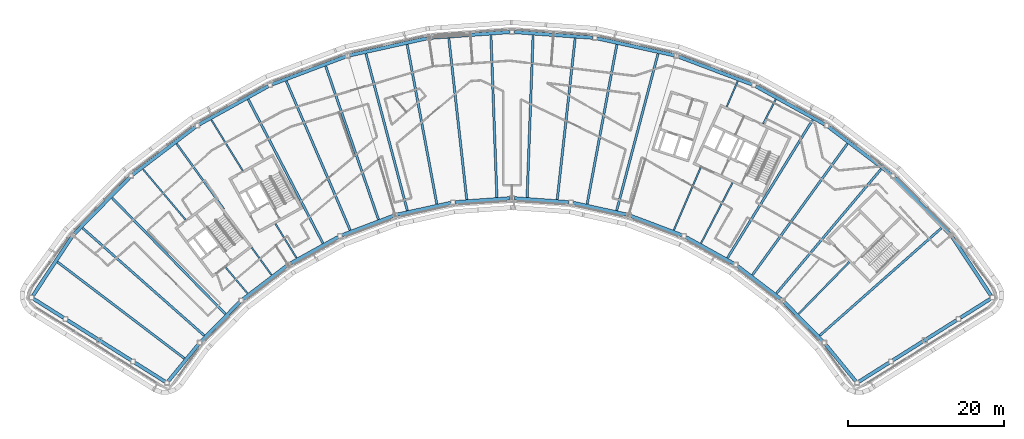
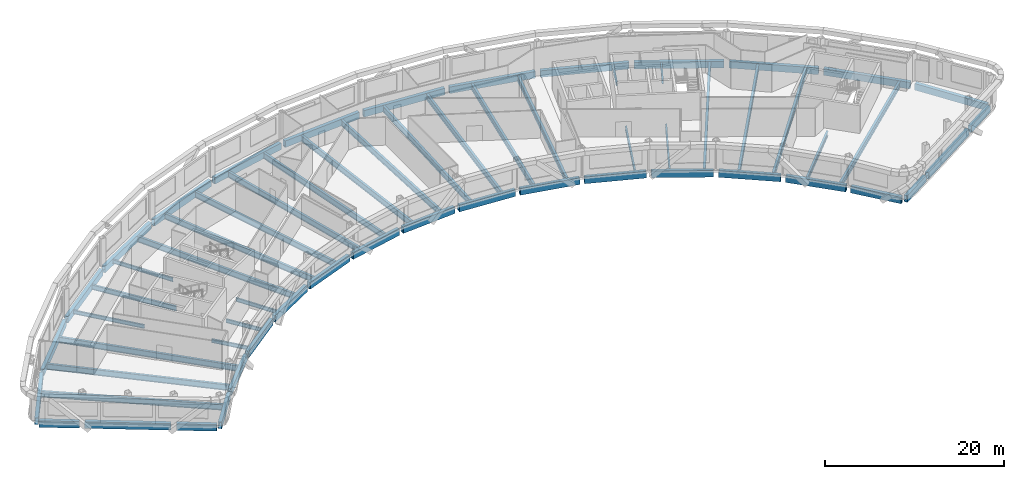
# One storey, part 3 of 17: 63 beams.
"""IFC4 building model written with IfcOpenShell, lengths in metres."""

from ifc_helpers import new_model, si_unit, direction, frame, origin, origin_2d, place, context, subcontext, project, spatial, hollow_rectangle, i_section, extrude, material, material_profile, profile_set, type_object, element, save


model = new_model("IFC4")

# Units and contexts
model_context = context("Model", 3, precision=1e-05, world=origin(), true_north=direction((0.0, 1.0)))
body_context = subcontext(model_context, "Body", "Model", "MODEL_VIEW")
ifc_project = project(units=[si_unit("LENGTHUNIT", "METRE"), si_unit("AREAUNIT", "SQUARE_METRE"), si_unit("VOLUMEUNIT", "CUBIC_METRE"), si_unit("PLANEANGLEUNIT", "RADIAN"), si_unit("MASSUNIT", "GRAM", prefix="KILO")], contexts=[model_context])

# Site, building, storey
site_placement = place(None, origin())
site = spatial("IfcSite", under=ifc_project, at=site_placement, CompositionType="ELEMENT")
building_placement = place(site_placement, origin())
building = spatial("IfcBuilding", under=site, at=building_placement, Name="Tuul Gate Civic Tower", CompositionType="ELEMENT")
storey_placement = place(building_placement, frame((0.0, 0.0, 344.89990234375)))
storey = spatial("IfcBuildingStorey", under=building, at=storey_placement, Name="Level 78", CompositionType="ELEMENT", Elevation=344.89990234375)

# Beams
ifc_material_1 = material(Name="Steel S355", Category="steel")
ifc_material_profile_1 = material_profile(ifc_material_1, i_section(OverallWidth=0.199951171875, OverallDepth=0.5, WebThickness=0.010009765625, FlangeThickness=0.01611328125, at=origin_2d()), Name="PG500x200x10x16")
ifc_profile_set_1 = profile_set([ifc_material_profile_1], Name="Steel S355")
beam_type_1 = type_object("IfcBeamType", Name="STR-FLOOR BEAM-PG500x200x10x16", PredefinedType="BEAM", material=ifc_profile_set_1)
beam_1_placement = place(storey_placement, frame((26.463134765625, -13.32080078125, -0.5498046875), z_axis=(0.460782795667, 0.887512938056, 0.0), x_axis=(-0.887512938056, 0.460782795667, 0.0)))
element("IfcBeam", 1, at=beam_1_placement, inside=storey, type_object=beam_type_1, Name="Floor beam", PredefinedType="BEAM", context=body_context, shape_type="SweptSolid", body=[
    extrude(i_section(OverallWidth=0.199951171875, OverallDepth=0.5, WebThickness=0.010009765625, FlangeThickness=0.01611328125, at=origin_2d()), origin(), (0.0, 0.0, 1.0), 8.768310546875),
])
beam_2_placement = place(storey_placement, frame((34.423583984375, 2.01220703125, -0.5498046875), z_axis=(0.460793282306, 0.887507493479, 0.0), x_axis=(-0.887507493479, 0.460793282306, 0.0)))
element("IfcBeam", 2, at=beam_2_placement, inside=storey, type_object=beam_type_1, Name="Floor beam", PredefinedType="BEAM", context=body_context, shape_type="SweptSolid", body=[
    extrude(i_section(OverallWidth=0.199951171875, OverallDepth=0.5, WebThickness=0.010009765625, FlangeThickness=0.01611328125, at=origin_2d()), origin(), (0.0, 0.0, 1.0), 3.53173828125),
])
beam_3_placement = place(storey_placement, frame((22.968505859375, -11.633056640625, -0.5498046875), z_axis=(0.394179708817, 0.91903338196, 0.0), x_axis=(-0.91903338196, 0.394179708817, 0.0)))
element("IfcBeam", 3, at=beam_3_placement, inside=storey, type_object=beam_type_1, Name="Floor beam", PredefinedType="BEAM", context=body_context, shape_type="SweptSolid", body=[
    extrude(i_section(OverallWidth=0.199951171875, OverallDepth=0.5, WebThickness=0.010009765625, FlangeThickness=0.01611328125, at=origin_2d()), origin(), (0.0, 0.0, 1.0), 8.7119140625),
])
beam_4_placement = place(storey_placement, frame((29.7548828125, 4.189208984375, -0.5498046875), z_axis=(0.394262656624, 0.918997800646, 0.0), x_axis=(-0.918997800646, 0.394262656624, 0.0)))
element("IfcBeam", 4, at=beam_4_placement, inside=storey, type_object=beam_type_1, Name="Floor beam", PredefinedType="BEAM", context=body_context, shape_type="SweptSolid", body=[
    extrude(i_section(OverallWidth=0.199951171875, OverallDepth=0.5, WebThickness=0.010009765625, FlangeThickness=0.01611328125, at=origin_2d()), origin(), (0.0, 0.0, 1.0), 3.60400390625),
])
beam_5_placement = place(storey_placement, frame((-25.47412109375, -15.2021484375, -0.5498046875), z_axis=(-0.524854989159, 0.851191659002, 0.0), x_axis=(-0.851191659002, -0.524854989159, 0.0)))
element("IfcBeam", 5, at=beam_5_placement, inside=storey, type_object=beam_type_1, Name="Floor beam", PredefinedType="BEAM", context=body_context, shape_type="SweptSolid", body=[
    extrude(i_section(OverallWidth=0.199951171875, OverallDepth=0.5, WebThickness=0.010009765625, FlangeThickness=0.01611328125, at=origin_2d()), origin(), (0.0, 0.0, 1.0), 5.1591796875),
])
beam_6_placement = place(storey_placement, frame((-32.385009765625, -3.993896484375, -0.5498046875), z_axis=(-0.524857120658, 0.851190344691, 0.0), x_axis=(-0.851190344691, -0.524857120658, 0.0)))
element("IfcBeam", 6, at=beam_6_placement, inside=storey, type_object=beam_type_1, Name="Floor beam", PredefinedType="BEAM", context=body_context, shape_type="SweptSolid", body=[
    extrude(i_section(OverallWidth=0.199951171875, OverallDepth=0.5, WebThickness=0.010009765625, FlangeThickness=0.01611328125, at=origin_2d()), origin(), (0.0, 0.0, 1.0), 7.654052734375),
])
beam_7_placement = place(storey_placement, frame((-28.677734375, -17.393310546875, -0.5498046875), z_axis=(-0.586074177431, 0.81025740265, 0.0), x_axis=(-0.81025740265, -0.586074177431, 0.0)))
element("IfcBeam", 7, at=beam_7_placement, inside=storey, type_object=beam_type_1, Name="Floor beam", PredefinedType="BEAM", context=body_context, shape_type="SweptSolid", body=[
    extrude(i_section(OverallWidth=0.199951171875, OverallDepth=0.5, WebThickness=0.010009765625, FlangeThickness=0.01611328125, at=origin_2d()), origin(), (0.0, 0.0, 1.0), 4.33642578125),
])
beam_8_placement = place(storey_placement, frame((-31.765869140625, -19.74462890625, -0.5498046875), z_axis=(-0.64417038831, 0.764882024122, 0.0), x_axis=(-0.764882024122, -0.64417038831, 0.0)))
element("IfcBeam", 8, at=beam_8_placement, inside=storey, type_object=beam_type_1, Name="Floor beam", PredefinedType="BEAM", context=body_context, shape_type="SweptSolid", body=[
    extrude(i_section(OverallWidth=0.199951171875, OverallDepth=0.5, WebThickness=0.010009765625, FlangeThickness=0.01611328125, at=origin_2d()), origin(), (0.0, 0.0, 1.0), 4.34033203125),
])
beam_9_placement = place(storey_placement, frame((-39.720703125, -10.298095703125, -0.5498046875), z_axis=(-0.644145503575, 0.764902980923, 0.0), x_axis=(-0.764902980923, -0.644145503575, 0.0)))
element("IfcBeam", 9, at=beam_9_placement, inside=storey, type_object=beam_type_1, Name="Floor beam", PredefinedType="BEAM", context=body_context, shape_type="SweptSolid", body=[
    extrude(i_section(OverallWidth=0.199951171875, OverallDepth=0.5, WebThickness=0.010009765625, FlangeThickness=0.01611328125, at=origin_2d()), origin(), (0.0, 0.0, 1.0), 8.47509765625),
])
ifc_material_2 = material(Name="Steel S355", Category="steel")
ifc_material_profile_2 = material_profile(ifc_material_2, i_section(OverallWidth=0.25, OverallDepth=0.64990234375, WebThickness=0.011962890625, FlangeThickness=0.02001953125, at=origin_2d()), Name="PG650x250x12x20")
ifc_profile_set_2 = profile_set([ifc_material_profile_2], Name="Steel S355")
beam_type_2 = type_object("IfcBeamType", Name="STR-FLOOR BEAM-PG650x250x12x20", PredefinedType="BEAM", material=ifc_profile_set_2)
beam_10_placement = place(storey_placement, frame((38.990234375, -22.390380859375, -0.625), z_axis=(0.698674470128, 0.715439714296, 0.0), x_axis=(-0.715439714296, 0.698674470128, 0.0)))
element("IfcBeam", 10, at=beam_10_placement, inside=storey, type_object=beam_type_2, Name="Floor beam", PredefinedType="BEAM", context=body_context, shape_type="SweptSolid", body=[
    extrude(i_section(OverallWidth=0.25, OverallDepth=0.64990234375, WebThickness=0.011962890625, FlangeThickness=0.02001953125, at=origin_2d()), origin(), (0.0, 0.0, 1.0), 9.290771484375),
])
beam_11_placement = place(storey_placement, frame((-34.799560546875, -8.9296875, -0.625), z_axis=(-0.586091808988, 0.810244649126, 0.0), x_axis=(-0.810244649126, -0.586091808988, 0.0)))
element("IfcBeam", 11, at=beam_11_placement, inside=storey, type_object=beam_type_2, Name="Floor beam", PredefinedType="BEAM", context=body_context, shape_type="SweptSolid", body=[
    extrude(i_section(OverallWidth=0.25, OverallDepth=0.64990234375, WebThickness=0.011962890625, FlangeThickness=0.02001953125, at=origin_2d()), origin(), (0.0, 0.0, 1.0), 10.360107421875),
])
ifc_material_3 = material(Name="Steel S355", Category="steel")
ifc_material_profile_3 = material_profile(ifc_material_3, i_section(OverallWidth=0.300048828125, OverallDepth=0.800048828125, WebThickness=0.013916015625, FlangeThickness=0.02490234375, at=origin_2d()), Name="PG800x300x14x25")
ifc_profile_set_3 = profile_set([ifc_material_profile_3], Name="Steel S355")
beam_type_3 = type_object("IfcBeamType", Name="STR-FLOOR BEAM-PG800x300x14x25", PredefinedType="BEAM", material=ifc_profile_set_3)
beam_12_placement = place(storey_placement, frame((41.707275390625, -25.16259765625, -0.699951171875), z_axis=(0.749453243269, 0.662057275584, 0.0), x_axis=(-0.662057275584, 0.749453243269, 0.0)))
element("IfcBeam", 12, at=beam_12_placement, inside=storey, type_object=beam_type_3, Name="Floor beam", PredefinedType="BEAM", context=body_context, shape_type="SweptSolid", body=[
    extrude(i_section(OverallWidth=0.300048828125, OverallDepth=0.800048828125, WebThickness=0.013916015625, FlangeThickness=0.02490234375, at=origin_2d()), origin(), (0.0, 0.0, 1.0), 20.828369140625),
])
beam_13_placement = place(storey_placement, frame((36.14990234375, -19.74462890625, -0.699951171875), z_axis=(0.644135745783, 0.764911198117, 0.0), x_axis=(-0.764911198117, 0.644135745783, 0.0)))
element("IfcBeam", 13, at=beam_13_placement, inside=storey, type_object=beam_type_3, Name="Floor beam", PredefinedType="BEAM", context=body_context, shape_type="SweptSolid", body=[
    extrude(i_section(OverallWidth=0.300048828125, OverallDepth=0.800048828125, WebThickness=0.013916015625, FlangeThickness=0.02490234375, at=origin_2d()), origin(), (0.0, 0.0, 1.0), 20.824951171875),
])
beam_14_placement = place(storey_placement, frame((33.061767578125, -17.393310546875, -0.699951171875), z_axis=(0.586073074744, 0.810258200242, 0.0), x_axis=(-0.810258200242, 0.586073074744, 0.0)))
element("IfcBeam", 14, at=beam_14_placement, inside=storey, type_object=beam_type_3, Name="Floor beam", PredefinedType="BEAM", context=body_context, shape_type="SweptSolid", body=[
    extrude(i_section(OverallWidth=0.300048828125, OverallDepth=0.800048828125, WebThickness=0.013916015625, FlangeThickness=0.02490234375, at=origin_2d()), origin(), (0.0, 0.0, 1.0), 20.8056640625),
])
beam_15_placement = place(storey_placement, frame((29.858154296875, -15.2021484375, -0.699951171875), z_axis=(0.524846935925, 0.85119662467, 0.0), x_axis=(-0.85119662467, 0.524846935925, 0.0)))
element("IfcBeam", 15, at=beam_15_placement, inside=storey, type_object=beam_type_3, Name="Floor beam", PredefinedType="BEAM", context=body_context, shape_type="SweptSolid", body=[
    extrude(i_section(OverallWidth=0.300048828125, OverallDepth=0.800048828125, WebThickness=0.013916015625, FlangeThickness=0.02490234375, at=origin_2d()), origin(), (0.0, 0.0, 1.0), 20.82177734375),
])
beam_16_placement = place(storey_placement, frame((15.630615234375, -9.11328125, -0.699951171875), z_axis=(0.255002430405, 0.966940412067, 0.0), x_axis=(-0.966940412067, 0.255002430405, 0.0)))
element("IfcBeam", 16, at=beam_16_placement, inside=storey, type_object=beam_type_3, Name="Floor beam", PredefinedType="BEAM", context=body_context, shape_type="SweptSolid", body=[
    extrude(i_section(OverallWidth=0.300048828125, OverallDepth=0.800048828125, WebThickness=0.013916015625, FlangeThickness=0.02490234375, at=origin_2d()), origin(), (0.0, 0.0, 1.0), 20.81689453125),
])
beam_17_placement = place(storey_placement, frame((11.84033203125, -8.2783203125, -0.699951171875), z_axis=(0.183149454547, 0.983085081414, 0.0), x_axis=(-0.983085081414, 0.183149454547, 0.0)))
element("IfcBeam", 17, at=beam_17_placement, inside=storey, type_object=beam_type_3, Name="Floor beam", PredefinedType="BEAM", context=body_context, shape_type="SweptSolid", body=[
    extrude(i_section(OverallWidth=0.300048828125, OverallDepth=0.800048828125, WebThickness=0.013916015625, FlangeThickness=0.02490234375, at=origin_2d()), origin(), (0.0, 0.0, 1.0), 20.81103515625),
])
beam_18_placement = place(storey_placement, frame((8.003173828125, -7.69873046875, -0.699951171875), z_axis=(0.110286058964, 0.993899886909, 0.0), x_axis=(-0.993899886909, 0.110286058964, 0.0)))
element("IfcBeam", 18, at=beam_18_placement, inside=storey, type_object=beam_type_3, Name="Floor beam", PredefinedType="BEAM", context=body_context, shape_type="SweptSolid", body=[
    extrude(i_section(OverallWidth=0.300048828125, OverallDepth=0.800048828125, WebThickness=0.013916015625, FlangeThickness=0.02490234375, at=origin_2d()), origin(), (0.0, 0.0, 1.0), 20.8154296875),
])
for number, where, z_axis, x_axis, name in (
    (19, (4.13232421875, -7.41796875, -0.699951171875), (0.036832478792, 0.999321454041, 0.0), (-0.999321454041, 0.036832478792, 0.0), "Floor beam"),
    (20, (0.251708984375, -7.41796875, -0.699951171875), (-0.036832478792, 0.999321454041, 0.0), (-0.999321454041, -0.036832478792, 0.0), "Floor beam"),
):
    element("IfcBeam", number, at=place(storey_placement, frame(where, z_axis=z_axis, x_axis=x_axis)), inside=storey, type_object=beam_type_3, Name=name, PredefinedType="BEAM", context=body_context, shape_type="SweptSolid", body=[
        extrude(i_section(OverallWidth=0.300048828125, OverallDepth=0.800048828125, WebThickness=0.013916015625, FlangeThickness=0.02490234375, at=origin_2d()), origin(), (0.0, 0.0, 1.0), 20.813232421875),
    ])
beam_19_placement = place(storey_placement, frame((-3.619140625, -7.69873046875, -0.699951171875), z_axis=(-0.110286058964, 0.993899886909, 0.0), x_axis=(-0.993899886909, -0.110286058964, 0.0)))
element("IfcBeam", 21, at=beam_19_placement, inside=storey, type_object=beam_type_3, Name="Floor beam", PredefinedType="BEAM", context=body_context, shape_type="SweptSolid", body=[
    extrude(i_section(OverallWidth=0.300048828125, OverallDepth=0.800048828125, WebThickness=0.013916015625, FlangeThickness=0.02490234375, at=origin_2d()), origin(), (0.0, 0.0, 1.0), 20.8154296875),
])
beam_20_placement = place(storey_placement, frame((-7.45654296875, -8.2783203125, -0.699951171875), z_axis=(-0.183138116697, 0.983087193596, 0.0), x_axis=(-0.983087193596, -0.183138116697, 0.0)))
element("IfcBeam", 22, at=beam_20_placement, inside=storey, type_object=beam_type_3, Name="Floor beam", PredefinedType="BEAM", context=body_context, shape_type="SweptSolid", body=[
    extrude(i_section(OverallWidth=0.300048828125, OverallDepth=0.800048828125, WebThickness=0.013916015625, FlangeThickness=0.02490234375, at=origin_2d()), origin(), (0.0, 0.0, 1.0), 20.81103515625),
])
beam_21_placement = place(storey_placement, frame((-11.24658203125, -9.11328125, -0.699951171875), z_axis=(-0.255002430405, 0.966940412067, 0.0), x_axis=(-0.966940412067, -0.255002430405, 0.0)))
element("IfcBeam", 23, at=beam_21_placement, inside=storey, type_object=beam_type_3, Name="Floor beam", PredefinedType="BEAM", context=body_context, shape_type="SweptSolid", body=[
    extrude(i_section(OverallWidth=0.300048828125, OverallDepth=0.800048828125, WebThickness=0.013916015625, FlangeThickness=0.02490234375, at=origin_2d()), origin(), (0.0, 0.0, 1.0), 20.81689453125),
])
beam_22_placement = place(storey_placement, frame((-14.954345703125, -10.259765625, -0.699951171875), z_axis=(-0.325483706592, 0.945547649113, 0.0), x_axis=(-0.945547649113, -0.325483706592, 0.0)))
element("IfcBeam", 24, at=beam_22_placement, inside=storey, type_object=beam_type_3, Name="Floor beam", PredefinedType="BEAM", context=body_context, shape_type="SweptSolid", body=[
    extrude(i_section(OverallWidth=0.300048828125, OverallDepth=0.800048828125, WebThickness=0.013916015625, FlangeThickness=0.02490234375, at=origin_2d()), origin(), (0.0, 0.0, 1.0), 20.808837890625),
])
beam_23_placement = place(storey_placement, frame((-18.58447265625, -11.633056640625, -0.699951171875), z_axis=(-0.39419807985, 0.919025502281, 0.0), x_axis=(-0.919025502281, -0.39419807985, 0.0)))
element("IfcBeam", 25, at=beam_23_placement, inside=storey, type_object=beam_type_3, Name="Floor beam", PredefinedType="BEAM", context=body_context, shape_type="SweptSolid", body=[
    extrude(i_section(OverallWidth=0.300048828125, OverallDepth=0.800048828125, WebThickness=0.013916015625, FlangeThickness=0.02490234375, at=origin_2d()), origin(), (0.0, 0.0, 1.0), 20.820068359375),
])
beam_24_placement = place(storey_placement, frame((-22.079345703125, -13.32080078125, -0.699951171875), z_axis=(-0.46076746296, 0.887520898389, 0.0), x_axis=(-0.887520898389, -0.46076746296, 0.0)))
element("IfcBeam", 26, at=beam_24_placement, inside=storey, type_object=beam_type_3, Name="Floor beam", PredefinedType="BEAM", context=body_context, shape_type="SweptSolid", body=[
    extrude(i_section(OverallWidth=0.300048828125, OverallDepth=0.800048828125, WebThickness=0.013916015625, FlangeThickness=0.02490234375, at=origin_2d()), origin(), (0.0, 0.0, 1.0), 20.80810546875),
])
beam_25_placement = place(storey_placement, frame((-34.606201171875, -22.390380859375, -0.699951171875), z_axis=(-0.698678629993, 0.715435651888, 0.0), x_axis=(-0.715435651888, -0.698678629993, 0.0)))
element("IfcBeam", 27, at=beam_25_placement, inside=storey, type_object=beam_type_3, Name="Floor beam", PredefinedType="BEAM", context=body_context, shape_type="SweptSolid", body=[
    extrude(i_section(OverallWidth=0.300048828125, OverallDepth=0.800048828125, WebThickness=0.013916015625, FlangeThickness=0.02490234375, at=origin_2d()), origin(), (0.0, 0.0, 1.0), 20.80517578125),
])
beam_26_placement = place(storey_placement, frame((-37.3232421875, -25.16259765625, -0.699951171875), z_axis=(-0.749453243269, 0.662057275584, 0.0), x_axis=(-0.662057275584, -0.749453243269, 0.0)))
element("IfcBeam", 28, at=beam_26_placement, inside=storey, type_object=beam_type_3, Name="Floor beam", PredefinedType="BEAM", context=body_context, shape_type="SweptSolid", body=[
    extrude(i_section(OverallWidth=0.300048828125, OverallDepth=0.800048828125, WebThickness=0.013916015625, FlangeThickness=0.02490234375, at=origin_2d()), origin(), (0.0, 0.0, 1.0), 20.828369140625),
])
beam_27_placement = place(storey_placement, frame((-39.8623046875, -28.107421875, -0.699951171875), z_axis=(-0.796145180606, 0.605105653087, 0.0), x_axis=(-0.605105653087, -0.796145180606, 0.0)))
element("IfcBeam", 29, at=beam_27_placement, inside=storey, type_object=beam_type_3, Name="Floor beam", PredefinedType="BEAM", context=body_context, shape_type="SweptSolid", body=[
    extrude(i_section(OverallWidth=0.300048828125, OverallDepth=0.800048828125, WebThickness=0.013916015625, FlangeThickness=0.02490234375, at=origin_2d()), origin(), (0.0, 0.0, 1.0), 20.462646484375),
])
ifc_material_4 = material(Name="Steel S355", Category="steel")
ifc_material_profile_4 = material_profile(ifc_material_4, hollow_rectangle(XDim=0.449951171875, YDim=0.89990234375, WallThickness=0.02490234375, at=origin_2d()), Name="BOX900x450x25")
ifc_profile_set_4 = profile_set([ifc_material_profile_4], Name="Steel S355")
beam_type_4 = type_object("IfcBeamType", Name="STR-SPANDREL BEAM-BOX900x450x25", PredefinedType="BEAM", material=ifc_profile_set_4)
beam_28_placement = place(storey_placement, frame((63.697509765625, -20.0498046875, -0.75), z_axis=(-0.551649794693, 0.834075838288, 0.0), x_axis=(-0.834075838288, -0.551649794693, 0.0)))
element("IfcBeam", 30, at=beam_28_placement, inside=storey, type_object=beam_type_4, Name="Spandrel beam", PredefinedType="BEAM", context=body_context, shape_type="SweptSolid", body=[
    extrude(hollow_rectangle(XDim=0.449951171875, YDim=0.89990234375, WallThickness=0.02490234375, at=origin_2d()), origin(), (0.0, 0.0, 1.0), 9.005859375),
])
beam_29_placement = place(storey_placement, frame((58.35400390625, -12.07373046875, -0.75), z_axis=(-0.699997044148, 0.714145740157, 0.0), x_axis=(-0.714145740157, -0.699997044148, 0.0)))
element("IfcBeam", 31, at=beam_29_placement, inside=storey, type_object=beam_type_4, Name="Spandrel beam", PredefinedType="BEAM", context=body_context, shape_type="SweptSolid", body=[
    extrude(hollow_rectangle(XDim=0.449951171875, YDim=0.89990234375, WallThickness=0.02490234375, at=origin_2d()), origin(), (0.0, 0.0, 1.0), 10.0771484375),
])
beam_30_placement = place(storey_placement, frame((50.851318359375, -4.481201171875, -0.75), z_axis=(-0.795665227609, 0.605736614028, 0.0), x_axis=(-0.605736614028, -0.795665227609, 0.0)))
element("IfcBeam", 32, at=beam_30_placement, inside=storey, type_object=beam_type_4, Name="Spandrel beam", PredefinedType="BEAM", context=body_context, shape_type="SweptSolid", body=[
    extrude(hollow_rectangle(XDim=0.449951171875, YDim=0.89990234375, WallThickness=0.02490234375, at=origin_2d()), origin(), (0.0, 0.0, 1.0), 10.077880859375),
])
for number, where, z_axis, x_axis, name in (
    (33, (42.33154296875, 1.950439453125, -0.75), (-0.874588911386, 0.484865173095, 0.0), (-0.484865173095, -0.874588911386, 0.0), "Spandrel beam"),
    (34, (32.975341796875, 7.088134765625, -0.75), (-0.935377903805, 0.353649794391, 0.0), (-0.353649794391, -0.935377903805, 0.0), "Spandrel beam"),
):
    element("IfcBeam", number, at=place(storey_placement, frame(where, z_axis=z_axis, x_axis=x_axis)), inside=storey, type_object=beam_type_4, Name=name, PredefinedType="BEAM", context=body_context, shape_type="SweptSolid", body=[
        extrude(hollow_rectangle(XDim=0.449951171875, YDim=0.89990234375, WallThickness=0.02490234375, at=origin_2d()), origin(), (0.0, 0.0, 1.0), 10.076904296875),
    ])
beam_31_placement = place(storey_placement, frame((22.97607421875, 10.822509765625, -0.75), z_axis=(-0.97656744164, 0.215211598034, 0.0), x_axis=(-0.215211598034, -0.97656744164, 0.0)))
element("IfcBeam", 35, at=beam_31_placement, inside=storey, type_object=beam_type_4, Name="Spandrel beam", PredefinedType="BEAM", context=body_context, shape_type="SweptSolid", body=[
    extrude(hollow_rectangle(XDim=0.449951171875, YDim=0.89990234375, WallThickness=0.02490234375, at=origin_2d()), origin(), (0.0, 0.0, 1.0), 10.078125),
])
for number, where, z_axis, x_axis, name in (
    (36, (12.541748046875, 13.07763671875, -0.75), (-0.997381504519, 0.072319668448, 0.0), (-0.072319668448, -0.997381504519, 0.0), "Spandrel beam"),
    (37, (1.892822265625, 13.806396484375, -0.75), (-0.997381504519, -0.072319668448, 0.0), (0.072319668448, -0.997381504519, 0.0), "Spandrel beam"),
):
    element("IfcBeam", number, at=place(storey_placement, frame(where, z_axis=z_axis, x_axis=x_axis)), inside=storey, type_object=beam_type_4, Name=name, PredefinedType="BEAM", context=body_context, shape_type="SweptSolid", body=[
        extrude(hollow_rectangle(XDim=0.449951171875, YDim=0.89990234375, WallThickness=0.02490234375, at=origin_2d()), origin(), (0.0, 0.0, 1.0), 10.076904296875),
    ])
beam_32_placement = place(storey_placement, frame((-8.75, 12.991455078125, -0.75), z_axis=(-0.97656744164, -0.215211598034, 0.0), x_axis=(0.215211598034, -0.97656744164, 0.0)))
element("IfcBeam", 38, at=beam_32_placement, inside=storey, type_object=beam_type_4, Name="Spandrel beam", PredefinedType="BEAM", context=body_context, shape_type="SweptSolid", body=[
    extrude(hollow_rectangle(XDim=0.449951171875, YDim=0.89990234375, WallThickness=0.02490234375, at=origin_2d()), origin(), (0.0, 0.0, 1.0), 10.078125),
])
for number, where, z_axis, x_axis, name in (
    (39, (-19.16552734375, 10.65185546875, -0.75), (-0.935377903805, -0.353649794391, 0.0), (0.353649794391, -0.935377903805, 0.0), "Spandrel beam"),
    (40, (-29.13427734375, 6.83642578125, -0.75), (-0.874588911386, -0.484865173095, 0.0), (0.484865173095, -0.874588911386, 0.0), "Spandrel beam"),
):
    element("IfcBeam", number, at=place(storey_placement, frame(where, z_axis=z_axis, x_axis=x_axis)), inside=storey, type_object=beam_type_4, Name=name, PredefinedType="BEAM", context=body_context, shape_type="SweptSolid", body=[
        extrude(hollow_rectangle(XDim=0.449951171875, YDim=0.89990234375, WallThickness=0.02490234375, at=origin_2d()), origin(), (0.0, 0.0, 1.0), 10.076904296875),
    ])
beam_33_placement = place(storey_placement, frame((-38.44873046875, 1.623291015625, -0.75), z_axis=(-0.795665227609, -0.605736614028, 0.0), x_axis=(0.605736614028, -0.795665227609, 0.0)))
element("IfcBeam", 41, at=beam_33_placement, inside=storey, type_object=beam_type_4, Name="Spandrel beam", PredefinedType="BEAM", context=body_context, shape_type="SweptSolid", body=[
    extrude(hollow_rectangle(XDim=0.449951171875, YDim=0.89990234375, WallThickness=0.02490234375, at=origin_2d()), origin(), (0.0, 0.0, 1.0), 10.077880859375),
])
beam_34_placement = place(storey_placement, frame((-46.916015625, -4.877197265625, -0.75), z_axis=(-0.699997044148, -0.714145740157, 0.0), x_axis=(0.714145740157, -0.699997044148, 0.0)))
element("IfcBeam", 42, at=beam_34_placement, inside=storey, type_object=beam_type_4, Name="Spandrel beam", PredefinedType="BEAM", context=body_context, shape_type="SweptSolid", body=[
    extrude(hollow_rectangle(XDim=0.449951171875, YDim=0.89990234375, WallThickness=0.02490234375, at=origin_2d()), origin(), (0.0, 0.0, 1.0), 10.0771484375),
])
beam_35_placement = place(storey_placement, frame((-54.345458984375, -12.538330078125, -0.75), z_axis=(-0.551649794693, -0.834075838288, 0.0), x_axis=(0.834075838288, -0.551649794693, 0.0)))
element("IfcBeam", 43, at=beam_35_placement, inside=storey, type_object=beam_type_4, Name="Spandrel beam", PredefinedType="BEAM", context=body_context, shape_type="SweptSolid", body=[
    extrude(hollow_rectangle(XDim=0.449951171875, YDim=0.89990234375, WallThickness=0.02490234375, at=origin_2d()), origin(), (0.0, 0.0, 1.0), 9.005859375),
])
beam_36_placement = place(storey_placement, frame((-59.22509765625, -20.4599609375, -0.75), z_axis=(0.846180663287, -0.532896129728, 0.0), x_axis=(0.532896129728, 0.846180663287, 0.0)))
element("IfcBeam", 44, at=beam_36_placement, inside=storey, type_object=beam_type_4, Name="Spandrel beam", PredefinedType="BEAM", context=body_context, shape_type="SweptSolid", body=[
    extrude(hollow_rectangle(XDim=0.449951171875, YDim=0.89990234375, WallThickness=0.02490234375, at=origin_2d()), origin(), (0.0, 0.0, 1.0), 4.532470703125),
])
beam_37_placement = place(storey_placement, frame((-54.882080078125, -23.19482421875, -0.75), z_axis=(0.846196555074, -0.532870894477, 0.0), x_axis=(0.532870894477, 0.846196555074, 0.0)))
element("IfcBeam", 45, at=beam_37_placement, inside=storey, type_object=beam_type_4, Name="Spandrel beam", PredefinedType="BEAM", context=body_context, shape_type="SweptSolid", body=[
    extrude(hollow_rectangle(XDim=0.449951171875, YDim=0.89990234375, WallThickness=0.02490234375, at=origin_2d()), origin(), (0.0, 0.0, 1.0), 9.66357421875),
])
beam_38_placement = place(storey_placement, frame((-46.197265625, -28.663818359375, -0.75), z_axis=(0.846134763568, -0.532969006493, 0.0), x_axis=(0.532969006493, 0.846134763568, 0.0)))
element("IfcBeam", 46, at=beam_38_placement, inside=storey, type_object=beam_type_4, Name="Spandrel beam", PredefinedType="BEAM", context=body_context, shape_type="SweptSolid", body=[
    extrude(hollow_rectangle(XDim=0.449951171875, YDim=0.89990234375, WallThickness=0.02490234375, at=origin_2d()), origin(), (0.0, 0.0, 1.0), 4.53173828125),
])
beam_39_placement = place(storey_placement, frame((-41.918701171875, -31.007080078125, -0.75), z_axis=(0.63439697252, 0.773007426392, 0.0), x_axis=(-0.773007426392, 0.63439697252, 0.0)))
element("IfcBeam", 47, at=beam_39_placement, inside=storey, type_object=beam_type_4, Name="Spandrel beam", PredefinedType="BEAM", context=body_context, shape_type="SweptSolid", body=[
    extrude(hollow_rectangle(XDim=0.449951171875, YDim=0.89990234375, WallThickness=0.02490234375, at=origin_2d()), origin(), (0.0, 0.0, 1.0), 6.052001953125),
])
beam_40_placement = place(storey_placement, frame((-37.678955078125, -25.8828125, -0.75), z_axis=(0.699947818205, 0.714193987507, 0.0), x_axis=(-0.714193987507, 0.699947818205, 0.0)))
element("IfcBeam", 48, at=beam_40_placement, inside=storey, type_object=beam_type_4, Name="Spandrel beam", PredefinedType="BEAM", context=body_context, shape_type="SweptSolid", body=[
    extrude(hollow_rectangle(XDim=0.449951171875, YDim=0.89990234375, WallThickness=0.02490234375, at=origin_2d()), origin(), (0.0, 0.0, 1.0), 6.991943359375),
])
for number, where, z_axis, x_axis, name in (
    (49, (-32.33642578125, -20.4931640625, -0.75), (0.795633676081, 0.605778056293, 0.0), (-0.605778056293, 0.795633676081, 0.0), "Spandrel beam"),
    (50, (-26.272705078125, -15.9306640625, -0.75), (0.874654250386, 0.484747297343, 0.0), (-0.484747297343, 0.874654250386, 0.0), "Spandrel beam"),
):
    element("IfcBeam", number, at=place(storey_placement, frame(where, z_axis=z_axis, x_axis=x_axis)), inside=storey, type_object=beam_type_4, Name=name, PredefinedType="BEAM", context=body_context, shape_type="SweptSolid", body=[
        extrude(hollow_rectangle(XDim=0.449951171875, YDim=0.89990234375, WallThickness=0.02490234375, at=origin_2d()), origin(), (0.0, 0.0, 1.0), 6.99169921875),
    ])
beam_41_placement = place(storey_placement, frame((-19.614501953125, -12.289794921875, -0.75), z_axis=(0.93532810698, 0.35378147534, 0.0), x_axis=(-0.35378147534, 0.93532810698, 0.0)))
element("IfcBeam", 51, at=beam_41_placement, inside=storey, type_object=beam_type_4, Name="Spandrel beam", PredefinedType="BEAM", context=body_context, shape_type="SweptSolid", body=[
    extrude(hollow_rectangle(XDim=0.449951171875, YDim=0.89990234375, WallThickness=0.02490234375, at=origin_2d()), origin(), (0.0, 0.0, 1.0), 6.991943359375),
])
beam_42_placement = place(storey_placement, frame((-12.5009765625, -9.6455078125, -0.75), z_axis=(0.976591238289, 0.215103587366, 0.0), x_axis=(-0.215103587366, 0.976591238289, 0.0)))
element("IfcBeam", 52, at=beam_42_placement, inside=storey, type_object=beam_type_4, Name="Spandrel beam", PredefinedType="BEAM", context=body_context, shape_type="SweptSolid", body=[
    extrude(hollow_rectangle(XDim=0.449951171875, YDim=0.89990234375, WallThickness=0.02490234375, at=origin_2d()), origin(), (0.0, 0.0, 1.0), 6.991455078125),
])
for number, where, z_axis, x_axis, name in (
    (53, (-5.080810546875, -8.055419921875, -0.75), (0.99738191337, 0.072314029638, 0.0), (-0.072314029638, 0.99738191337, 0.0), "Spandrel beam"),
    (54, (2.4912109375, -7.5498046875, -0.75), (0.99738191337, -0.072314029638, 0.0), (0.072314029638, 0.99738191337, 0.0), "Spandrel beam"),
):
    element("IfcBeam", number, at=place(storey_placement, frame(where, z_axis=z_axis, x_axis=x_axis)), inside=storey, type_object=beam_type_4, Name=name, PredefinedType="BEAM", context=body_context, shape_type="SweptSolid", body=[
        extrude(hollow_rectangle(XDim=0.449951171875, YDim=0.89990234375, WallThickness=0.02490234375, at=origin_2d()), origin(), (0.0, 0.0, 1.0), 6.991943359375),
    ])
beam_43_placement = place(storey_placement, frame((10.056884765625, -8.1416015625, -0.75), z_axis=(0.976592853912, -0.215096252149, 0.0), x_axis=(0.215096252149, 0.976592853912, 0.0)))
element("IfcBeam", 55, at=beam_43_placement, inside=storey, type_object=beam_type_4, Name="Spandrel beam", PredefinedType="BEAM", context=body_context, shape_type="SweptSolid", body=[
    extrude(hollow_rectangle(XDim=0.449951171875, YDim=0.89990234375, WallThickness=0.02490234375, at=origin_2d()), origin(), (0.0, 0.0, 1.0), 6.99169921875),
])
beam_44_placement = place(storey_placement, frame((17.45849609375, -9.816162109375, -0.75), z_axis=(0.93532810698, -0.35378147534, 0.0), x_axis=(0.35378147534, 0.93532810698, 0.0)))
element("IfcBeam", 56, at=beam_44_placement, inside=storey, type_object=beam_type_4, Name="Spandrel beam", PredefinedType="BEAM", context=body_context, shape_type="SweptSolid", body=[
    extrude(hollow_rectangle(XDim=0.449951171875, YDim=0.89990234375, WallThickness=0.02490234375, at=origin_2d()), origin(), (0.0, 0.0, 1.0), 6.991943359375),
])
for number, where, z_axis, x_axis, name in (
    (57, (24.54150390625, -12.54150390625, -0.75), (0.874646044716, -0.484762102956, 0.0), (0.484762102956, 0.874646044716, 0.0), "Spandrel beam"),
    (58, (31.15771484375, -16.2578125, -0.75), (0.795620861355, -0.605794886885, 0.0), (0.605794886885, 0.795620861355, 0.0), "Spandrel beam"),
):
    element("IfcBeam", number, at=place(storey_placement, frame(where, z_axis=z_axis, x_axis=x_axis)), inside=storey, type_object=beam_type_4, Name=name, PredefinedType="BEAM", context=body_context, shape_type="SweptSolid", body=[
        extrude(hollow_rectangle(XDim=0.449951171875, YDim=0.89990234375, WallThickness=0.02490234375, at=origin_2d()), origin(), (0.0, 0.0, 1.0), 6.991455078125),
    ])
beam_45_placement = place(storey_placement, frame((37.1689453125, -20.88916015625, -0.75), z_axis=(0.699947818205, -0.714193987507, 0.0), x_axis=(0.714193987507, 0.699947818205, 0.0)))
element("IfcBeam", 59, at=beam_45_placement, inside=storey, type_object=beam_type_4, Name="Spandrel beam", PredefinedType="BEAM", context=body_context, shape_type="SweptSolid", body=[
    extrude(hollow_rectangle(XDim=0.449951171875, YDim=0.89990234375, WallThickness=0.02490234375, at=origin_2d()), origin(), (0.0, 0.0, 1.0), 6.991943359375),
])
beam_46_placement = place(storey_placement, frame((42.46337890625, -26.328857421875, -0.75), z_axis=(0.63439697252, -0.773007426392, 0.0), x_axis=(0.773007426392, 0.63439697252, 0.0)))
element("IfcBeam", 60, at=beam_46_placement, inside=storey, type_object=beam_type_4, Name="Spandrel beam", PredefinedType="BEAM", context=body_context, shape_type="SweptSolid", body=[
    extrude(hollow_rectangle(XDim=0.449951171875, YDim=0.89990234375, WallThickness=0.02490234375, at=origin_2d()), origin(), (0.0, 0.0, 1.0), 6.052001953125),
])
beam_47_placement = place(storey_placement, frame((46.746826171875, -31.0791015625, -0.75), z_axis=(0.846119459476, 0.532993302299, 0.0), x_axis=(-0.532993302299, 0.846119459476, 0.0)))
element("IfcBeam", 61, at=beam_47_placement, inside=storey, type_object=beam_type_4, Name="Spandrel beam", PredefinedType="BEAM", context=body_context, shape_type="SweptSolid", body=[
    extrude(hollow_rectangle(XDim=0.449951171875, YDim=0.89990234375, WallThickness=0.02490234375, at=origin_2d()), origin(), (0.0, 0.0, 1.0), 4.531494140625),
])
beam_48_placement = place(storey_placement, frame((51.0888671875, -28.34423828125, -0.75), z_axis=(0.846196555074, 0.532870894477, 0.0), x_axis=(-0.532870894477, 0.846196555074, 0.0)))
element("IfcBeam", 62, at=beam_48_placement, inside=storey, type_object=beam_type_4, Name="Spandrel beam", PredefinedType="BEAM", context=body_context, shape_type="SweptSolid", body=[
    extrude(hollow_rectangle(XDim=0.449951171875, YDim=0.89990234375, WallThickness=0.02490234375, at=origin_2d()), origin(), (0.0, 0.0, 1.0), 9.66357421875),
])
beam_49_placement = place(storey_placement, frame((59.77392578125, -22.875244140625, -0.75), z_axis=(0.846180663287, 0.532896129728, 0.0), x_axis=(-0.532896129728, 0.846180663287, 0.0)))
element("IfcBeam", 63, at=beam_49_placement, inside=storey, type_object=beam_type_4, Name="Spandrel beam", PredefinedType="BEAM", context=body_context, shape_type="SweptSolid", body=[
    extrude(hollow_rectangle(XDim=0.449951171875, YDim=0.89990234375, WallThickness=0.02490234375, at=origin_2d()), origin(), (0.0, 0.0, 1.0), 4.532470703125),
])

save(model, "model.ifc")
